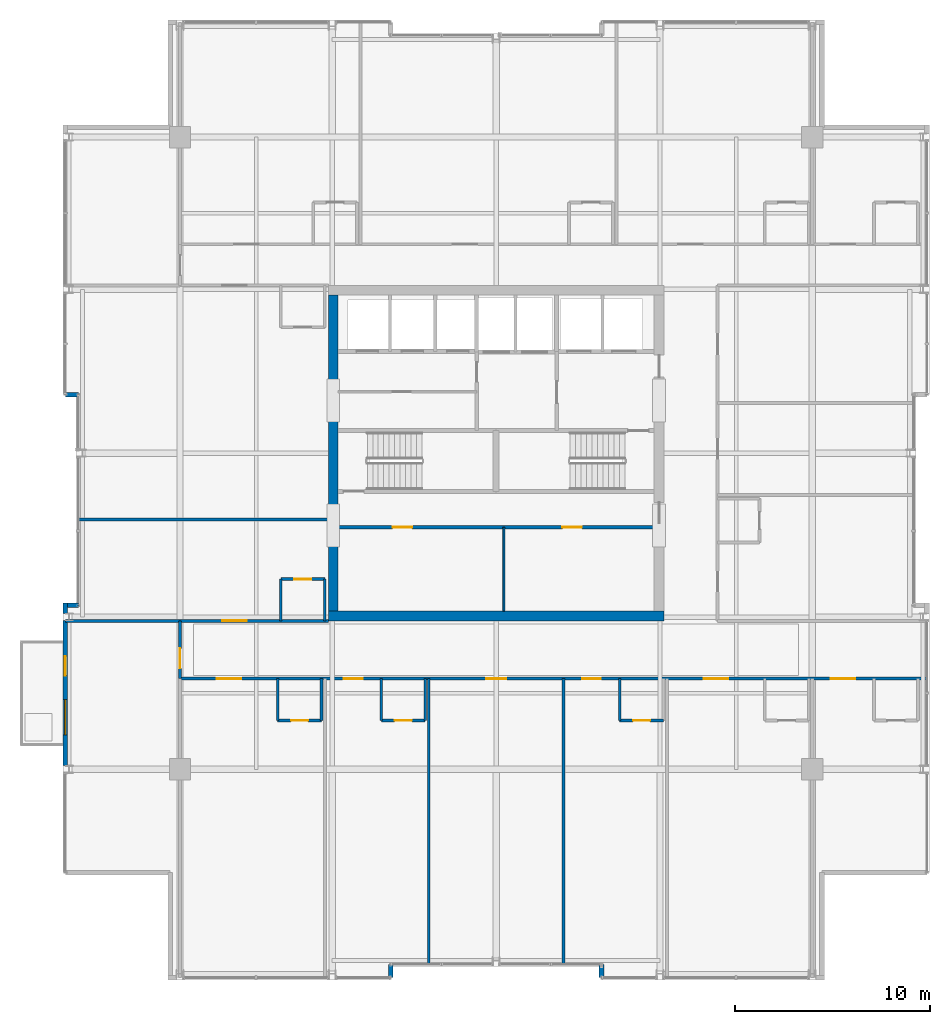
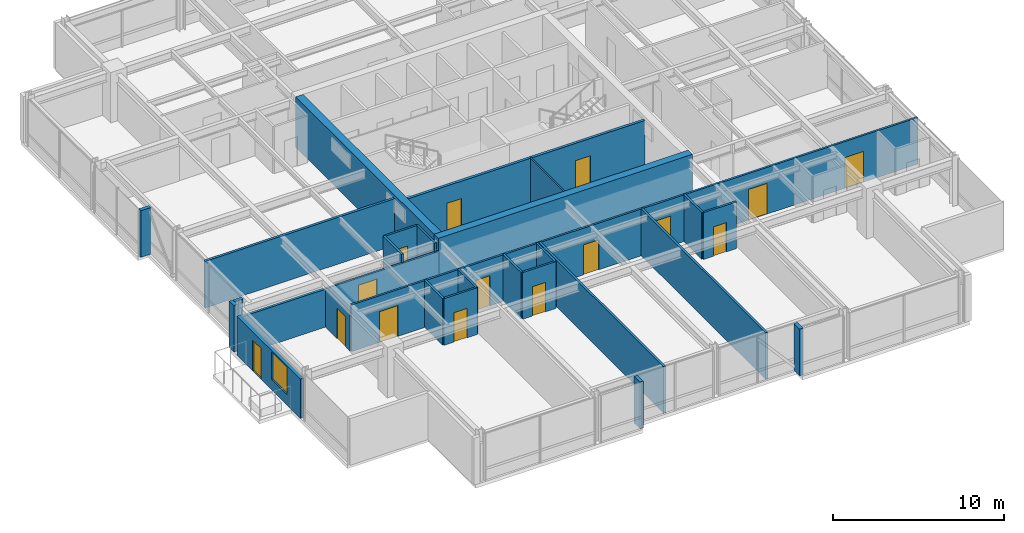
# One storey, part 26 of 32: 28 walls, 15 doors, 1 window, 16 openings.
"""IFC4 building model written with IfcOpenShell, lengths in metres."""

from ifc_helpers import new_model, si_unit, direction, frame, frame_2d, origin, place, context, subcontext, project, spatial, rectangle, extrude, material, layer, layer_set, type_object, element, fill, save


model = new_model("IFC4")

# Units and contexts
model_context = context("Model", 3, precision=1e-05, world=origin(), true_north=direction((0.0, 1.0)))
body_context = subcontext(model_context, "Body", "Model", "MODEL_VIEW")
ifc_project = project(units=[si_unit("LENGTHUNIT", "METRE"), si_unit("AREAUNIT", "SQUARE_METRE"), si_unit("VOLUMEUNIT", "CUBIC_METRE"), si_unit("PLANEANGLEUNIT", "RADIAN"), si_unit("MASSUNIT", "GRAM", prefix="KILO")], contexts=[model_context])

# Site, building, storey
site_placement = place(None, origin())
site = spatial("IfcSite", under=ifc_project, at=site_placement, CompositionType="ELEMENT")
building_placement = place(site_placement, origin())
building = spatial("IfcBuilding", under=site, at=building_placement, Name="Drelvath Grand Hotel", CompositionType="ELEMENT")
storey_placement = place(building_placement, frame((0.0, 0.0, 233.89990234375)))
storey = spatial("IfcBuildingStorey", under=building, at=storey_placement, Name="L61", CompositionType="ELEMENT", Elevation=233.89990234375)

# Wall
ifc_material_1 = material(Name="Gypsum Partition Board")
ifc_layer_1 = layer(ifc_material_1, 0.10009765625)
ifc_layer_set_1 = layer_set([ifc_layer_1], Name="Gypsum Partition Board")
wall_type_1 = type_object("IfcWallType", Name="Core Closet Partition 100", PredefinedType="PARTITIONING", material=ifc_layer_set_1)
wall_1_placement = place(storey_placement, frame((0.39990234375, 18.89990234375, 0.0), z_axis=(0.0, 0.0, 1.0), x_axis=(0.0, 1.0, 0.0)))
element("IfcWall", 1, at=wall_1_placement, inside=storey, type_object=wall_type_1, Name="L61 Upper Core Split 0", PredefinedType="PARTITIONING", context=body_context, shape_type="SweptSolid", body=[
    extrude(rectangle(XDim=4.300048828125, YDim=0.10009765625, at=frame_2d((2.14990234375, 0.0))), origin(), (0.0, 0.0, 1.0), 3.340087890625),
])

# Wall, openings, doors
ifc_material_2 = material(Name="Gypsum Fireboard Partition")
ifc_layer_2 = layer(ifc_material_2, 0.135009765625)
ifc_layer_set_2 = layer_set([ifc_layer_2], Name="Gypsum Fireboard Partition")
wall_type_2 = type_object("IfcWallType", Name="Corridor Fire Barrier Wall 135", PredefinedType="PARTITIONING", material=ifc_layer_set_2)
wall_2_placement = place(storey_placement, frame((-16.199951171875, 15.449951171875, 0.0), z_axis=(0.0, 0.0, 1.0), x_axis=(1.0, 0.0, 0.0)))
wall_2 = element("IfcWall", 2, at=wall_2_placement, inside=storey, type_object=wall_type_2, Name="L61 South Cross-Gallery Wall", PredefinedType="PARTITIONING", context=body_context, shape_type="SweptSolid", body=[
    extrude(rectangle(XDim=38.280029296875, YDim=0.135009765625, at=frame_2d((19.14013671875, 0.0))), origin(), (0.0, 0.0, 1.0), 3.340087890625),
])
opening_1_placement = place(wall_2_placement, frame((33.35498046875, 0.0, 0.0)))
opening_1 = element("IfcOpeningElement", 3, at=opening_1_placement, cuts=wall_2, Name="Opening D-T4G3-020", PredefinedType="OPENING", context=body_context, shape_type="SweptSolid", body=[
    extrude(rectangle(XDim=1.260009765625, YDim=2.199951171875, at=frame_2d((0.6298828125, 1.10009765625))), frame((0.0, 0.077392578125, 0.0), z_axis=(0.0, -1.0, 0.0), x_axis=(1.0, 0.0, 0.0)), (0.0, 0.0, 1.0), 0.155029296875),
])
opening_2_placement = place(wall_2_placement, frame((1.873046875, 0.0, 0.0)))
opening_2 = element("IfcOpeningElement", 4, at=opening_2_placement, cuts=wall_2, Name="Opening D-T4G3-024", PredefinedType="OPENING", context=body_context, shape_type="SweptSolid", body=[
    extrude(rectangle(XDim=1.260009765625, YDim=2.199951171875, at=frame_2d((0.6298828125, 1.10009765625))), frame((0.0, 0.077392578125, 0.0), z_axis=(0.0, -1.0, 0.0), x_axis=(1.0, 0.0, 0.0)), (0.0, 0.0, 1.0), 0.155029296875),
])
opening_3_placement = place(wall_2_placement, frame((8.396728515625, 0.0, 0.0)))
opening_3 = element("IfcOpeningElement", 5, at=opening_3_placement, cuts=wall_2, Name="Opening D-T4G3-026", PredefinedType="OPENING", context=body_context, shape_type="SweptSolid", body=[
    extrude(rectangle(XDim=0.9599609375, YDim=2.14990234375, at=frame_2d((0.47998046875, 1.074951171875))), frame((0.0, 0.077392578125, 0.0), z_axis=(0.0, -1.0, 0.0), x_axis=(1.0, 0.0, 0.0)), (0.0, 0.0, 1.0), 0.155029296875),
])
opening_4_placement = place(wall_2_placement, frame((15.68994140625, 0.0, 0.0)))
opening_4 = element("IfcOpeningElement", 6, at=opening_4_placement, cuts=wall_2, Name="Opening D-T4G3-027", PredefinedType="OPENING", context=body_context, shape_type="SweptSolid", body=[
    extrude(rectangle(XDim=1.02001953125, YDim=2.14990234375, at=frame_2d((0.510009765625, 1.074951171875))), frame((0.0, 0.077392578125, 0.0), z_axis=(0.0, -1.0, 0.0), x_axis=(1.0, 0.0, 0.0)), (0.0, 0.0, 1.0), 0.155029296875),
])
opening_5_placement = place(wall_2_placement, frame((20.61328125, 0.0, 0.0)))
opening_5 = element("IfcOpeningElement", 7, at=opening_5_placement, cuts=wall_2, Name="Opening D-T4G3-029", PredefinedType="OPENING", context=body_context, shape_type="SweptSolid", body=[
    extrude(rectangle(XDim=0.9599609375, YDim=2.14990234375, at=frame_2d((0.47998046875, 1.074951171875))), frame((0.0, 0.077392578125, 0.0), z_axis=(0.0, -1.0, 0.0), x_axis=(1.0, 0.0, 0.0)), (0.0, 0.0, 1.0), 0.155029296875),
])
opening_6_placement = place(wall_2_placement, frame((26.8369140625, 0.0, 0.0)))
opening_6 = element("IfcOpeningElement", 8, at=opening_6_placement, cuts=wall_2, Name="Opening D-T4G3-031", PredefinedType="OPENING", context=body_context, shape_type="SweptSolid", body=[
    extrude(rectangle(XDim=1.260009765625, YDim=2.199951171875, at=frame_2d((0.6298828125, 1.10009765625))), frame((0.0, 0.077392578125, 0.0), z_axis=(0.0, -1.0, 0.0), x_axis=(1.0, 0.0, 0.0)), (0.0, 0.0, 1.0), 0.155029296875),
])
ifc_material_3 = material(Name="Hardwood Walnut Timber", Category="wood")
door_type_1 = type_object("IfcDoorType", Name="Amenity Meeting Fire Door 1020x2150", OperationType="NOTDEFINED", PredefinedType="DOOR", material=ifc_material_3)
door_1_placement = place(opening_4_placement, origin())
door_1 = element("IfcDoor", 9, at=door_1_placement, inside=storey, type_object=door_type_1, Name="L61 Diplomatic Dining Salon Entry Door", OperationType="SINGLE_SWING_RIGHT", OverallHeight=2.14990234375, OverallWidth=1.02001953125, PredefinedType="DOOR", context=body_context, shape_type="SweptSolid", body=[
    extrude(rectangle(XDim=1.02001953125, YDim=2.14990234375, at=frame_2d((0.510009765625, 1.074951171875))), frame((0.0, 0.02490234375, 0.0), z_axis=(0.0, -1.0, 0.0), x_axis=(1.0, 0.0, 0.0)), (0.0, 0.0, 1.0), 0.050048828125),
])
fill(opening_4, door_1)
door_type_2 = type_object("IfcDoorType", Name="Guestroom Entrance Fire Door 960x2150", OperationType="NOTDEFINED", PredefinedType="DOOR", material=ifc_material_3)
door_2_placement = place(opening_3_placement, origin())
door_2 = element("IfcDoor", 10, at=door_2_placement, inside=storey, type_object=door_type_2, Name="L61 Deluxe Guest Room Entry Door", OperationType="SINGLE_SWING_LEFT", OverallHeight=2.14990234375, OverallWidth=0.9599609375, PredefinedType="DOOR", context=body_context, shape_type="SweptSolid", body=[
    extrude(rectangle(XDim=0.9599609375, YDim=2.14990234375, at=frame_2d((0.47998046875, 1.074951171875))), frame((0.0, 0.02490234375, 0.0), z_axis=(0.0, -1.0, 0.0), x_axis=(1.0, 0.0, 0.0)), (0.0, 0.0, 1.0), 0.050048828125),
])
fill(opening_3, door_2)
door_3_placement = place(opening_5_placement, origin())
door_3 = element("IfcDoor", 11, at=door_3_placement, inside=storey, type_object=door_type_2, Name="L61 Deluxe Guest Room Entry Door", OperationType="SINGLE_SWING_RIGHT", OverallHeight=2.14990234375, OverallWidth=0.9599609375, PredefinedType="DOOR", context=body_context, shape_type="SweptSolid", body=[
    extrude(rectangle(XDim=0.9599609375, YDim=2.14990234375, at=frame_2d((0.47998046875, 1.074951171875))), frame((0.0, 0.02490234375, 0.0), z_axis=(0.0, -1.0, 0.0), x_axis=(1.0, 0.0, 0.0)), (0.0, 0.0, 1.0), 0.050048828125),
])
fill(opening_5, door_3)
door_type_3 = type_object("IfcDoorType", Name="Suite Entrance Fire Door 1260x2200", OperationType="NOTDEFINED", PredefinedType="DOOR", material=ifc_material_3)
door_4_placement = place(opening_1_placement, origin())
door_4 = element("IfcDoor", 12, at=door_4_placement, inside=storey, type_object=door_type_3, Name="L61 Diplomatic Suite Entry Door", OperationType="SINGLE_SWING_LEFT", OverallHeight=2.199951171875, OverallWidth=1.260009765625, PredefinedType="DOOR", context=body_context, shape_type="SweptSolid", body=[
    extrude(rectangle(XDim=1.260009765625, YDim=2.199951171875, at=frame_2d((0.6298828125, 1.10009765625))), frame((0.0, 0.02490234375, 0.0), z_axis=(0.0, -1.0, 0.0), x_axis=(1.0, 0.0, 0.0)), (0.0, 0.0, 1.0), 0.050048828125),
])
fill(opening_1, door_4)
door_5_placement = place(opening_2_placement, origin())
door_5 = element("IfcDoor", 13, at=door_5_placement, inside=storey, type_object=door_type_3, Name="L61 Diplomatic Suite Entry Door", OperationType="SINGLE_SWING_LEFT", OverallHeight=2.199951171875, OverallWidth=1.260009765625, PredefinedType="DOOR", context=body_context, shape_type="SweptSolid", body=[
    extrude(rectangle(XDim=1.260009765625, YDim=2.199951171875, at=frame_2d((0.6298828125, 1.10009765625))), frame((0.0, 0.02490234375, 0.0), z_axis=(0.0, -1.0, 0.0), x_axis=(1.0, 0.0, 0.0)), (0.0, 0.0, 1.0), 0.050048828125),
])
fill(opening_2, door_5)
door_6_placement = place(opening_6_placement, origin())
door_6 = element("IfcDoor", 14, at=door_6_placement, inside=storey, type_object=door_type_3, Name="L61 Diplomatic Suite Entry Door", OperationType="SINGLE_SWING_RIGHT", OverallHeight=2.199951171875, OverallWidth=1.260009765625, PredefinedType="DOOR", context=body_context, shape_type="SweptSolid", body=[
    extrude(rectangle(XDim=1.260009765625, YDim=2.199951171875, at=frame_2d((0.6298828125, 1.10009765625))), frame((0.0, 0.02490234375, 0.0), z_axis=(0.0, -1.0, 0.0), x_axis=(1.0, 0.0, 0.0)), (0.0, 0.0, 1.0), 0.050048828125),
])
fill(opening_6, door_6)

# Wall, opening, door
wall_3_placement = place(storey_placement, frame((-16.199951171875, 18.39990234375, 0.0), z_axis=(0.0, 0.0, 1.0), x_axis=(1.0, 0.0, 0.0)))
wall_3 = element("IfcWall", 15, at=wall_3_placement, inside=storey, type_object=wall_type_2, Name="L61 South Gallery Inner West Wall", PredefinedType="PARTITIONING", context=body_context, shape_type="SweptSolid", body=[
    extrude(rectangle(XDim=7.599853515625, YDim=0.135009765625, at=frame_2d((3.7998046875, 0.0))), origin(), (0.0, 0.0, 1.0), 2.717529296875),
])
opening_7_placement = place(wall_3_placement, frame((2.155029296875, 0.0, 0.0)))
opening_7 = element("IfcOpeningElement", 16, at=opening_7_placement, cuts=wall_3, Name="Opening D-T4G3-043", PredefinedType="OPENING", context=body_context, shape_type="SweptSolid", body=[
    extrude(rectangle(XDim=1.260009765625, YDim=2.199951171875, at=frame_2d((0.6298828125, 1.10009765625))), frame((0.0, 0.077392578125, 0.0), z_axis=(0.0, -1.0, 0.0), x_axis=(1.0, 0.0, 0.0)), (0.0, 0.0, 1.0), 0.155029296875),
])
door_7_placement = place(opening_7_placement, origin())
door_7 = element("IfcDoor", 17, at=door_7_placement, inside=storey, type_object=door_type_3, Name="L61 Diplomatic Suite Entry Door", OperationType="SINGLE_SWING_RIGHT", OverallHeight=2.199951171875, OverallWidth=1.260009765625, PredefinedType="DOOR", context=body_context, shape_type="SweptSolid", body=[
    extrude(rectangle(XDim=1.260009765625, YDim=2.199951171875, at=frame_2d((0.6298828125, 1.10009765625))), frame((0.0, 0.02490234375, 0.0), z_axis=(0.0, -1.0, 0.0), x_axis=(1.0, 0.0, 0.0)), (0.0, 0.0, 1.0), 0.050048828125),
])
fill(opening_7, door_7)

wall_4_placement = place(storey_placement, frame((-16.199951171875, 15.449951171875, 0.0), z_axis=(0.0, 0.0, 1.0), x_axis=(0.0, 1.0, 0.0)))
wall_4 = element("IfcWall", 18, at=wall_4_placement, inside=storey, type_object=wall_type_2, Name="L61 South Gallery West End", PredefinedType="PARTITIONING", context=body_context, shape_type="SweptSolid", body=[
    extrude(rectangle(XDim=2.949951171875, YDim=0.135009765625, at=frame_2d((1.47509765625, 0.0))), origin(), (0.0, 0.0, 1.0), 2.7138671875),
])
opening_8_placement = place(wall_4_placement, frame((0.52001953125, 0.0, 0.0)))
opening_8 = element("IfcOpeningElement", 19, at=opening_8_placement, cuts=wall_4, Name="Opening D-T4G3-017", PredefinedType="OPENING", context=body_context, shape_type="SweptSolid", body=[
    extrude(rectangle(XDim=1.02001953125, YDim=2.14990234375, at=frame_2d((0.510009765625, 1.074951171875))), frame((0.0, 0.077392578125, 0.0), z_axis=(0.0, -1.0, 0.0), x_axis=(1.0, 0.0, 0.0)), (0.0, 0.0, 1.0), 0.155029296875),
])
door_8_placement = place(opening_8_placement, origin())
door_8 = element("IfcDoor", 20, at=door_8_placement, inside=storey, type_object=door_type_1, Name="L61 Corner Panorama Lounge Door", OperationType="SINGLE_SWING_RIGHT", OverallHeight=2.14990234375, OverallWidth=1.02001953125, PredefinedType="DOOR", context=body_context, shape_type="SweptSolid", body=[
    extrude(rectangle(XDim=1.02001953125, YDim=2.14990234375, at=frame_2d((0.510009765625, 1.074951171875))), frame((0.0, 0.02490234375, 0.0), z_axis=(0.0, -1.0, 0.0), x_axis=(1.0, 0.0, 0.0)), (0.0, 0.0, 1.0), 0.050048828125),
])
fill(opening_8, door_8)

# Walls
ifc_material_4 = material(Name="Moisture-Resistant Gypsum Board")
ifc_layer_3 = layer(ifc_material_4, 0.139892578125)
ifc_layer_set_3 = layer_set([ifc_layer_3], Name="Moisture-Resistant Gypsum Board")
wall_type_3 = type_object("IfcWallType", Name="En-Suite Plumbing Wall 140", PredefinedType="PLUMBINGWALL", material=ifc_layer_set_3)
for number, where, z_axis, x_axis, name in (
    (21, (-11.19384765625, 15.449951171875, 0.0), (0.0, 0.0, 1.0), (0.0, -1.0, 0.0), "L61 En-Suite Left Wall"),
    (22, (-8.94384765625, 15.449951171875, 0.0), (0.0, 0.0, 1.0), (0.0, -1.0, 0.0), "L61 En-Suite Right Wall"),
):
    element("IfcWall", number, at=place(storey_placement, frame(where, z_axis=z_axis, x_axis=x_axis)), inside=storey, type_object=wall_type_3, Name=name, PredefinedType="PLUMBINGWALL", context=body_context, shape_type="SweptSolid", body=[
        extrude(rectangle(XDim=2.14990234375, YDim=0.139892578125, at=frame_2d((1.074951171875, 0.0))), origin(), (0.0, 0.0, 1.0), 3.340087890625),
    ])

# Wall, opening, door
wall_5_placement = place(storey_placement, frame((-11.19384765625, 13.300048828125, 0.0), z_axis=(0.0, 0.0, 1.0), x_axis=(1.0, 0.0, 0.0)))
wall_5 = element("IfcWall", 23, at=wall_5_placement, inside=storey, type_object=wall_type_3, Name="L61 En-Suite Front Wall", PredefinedType="PLUMBINGWALL", context=body_context, shape_type="SweptSolid", body=[
    extrude(rectangle(XDim=2.25, YDim=0.139892578125, at=frame_2d((1.125, 0.0))), origin(), (0.0, 0.0, 1.0), 3.340087890625),
])
opening_9_placement = place(wall_5_placement, frame((0.68505859375, 0.0, 0.0)))
opening_9 = element("IfcOpeningElement", 24, at=opening_9_placement, cuts=wall_5, Name="Opening D-T4G3-023", PredefinedType="OPENING", context=body_context, shape_type="SweptSolid", body=[
    extrude(rectangle(XDim=0.8798828125, YDim=2.10009765625, at=frame_2d((0.43994140625, 1.050048828125))), frame((0.0, 0.079833984375, 0.0), z_axis=(0.0, -1.0, 0.0), x_axis=(1.0, 0.0, 0.0)), (0.0, 0.0, 1.0), 0.159912109375),
])
door_type_4 = type_object("IfcDoorType", Name="En-Suite Bathroom Door 880x2100", OperationType="NOTDEFINED", PredefinedType="DOOR", material=ifc_material_3)
door_9_placement = place(opening_9_placement, origin())
door_9 = element("IfcDoor", 25, at=door_9_placement, inside=storey, type_object=door_type_4, Name="L61 En-Suite Bathroom Door", OperationType="SINGLE_SWING_RIGHT", OverallHeight=2.10009765625, OverallWidth=0.8798828125, PredefinedType="DOOR", context=body_context, shape_type="SweptSolid", body=[
    extrude(rectangle(XDim=0.8798828125, YDim=2.10009765625, at=frame_2d((0.43994140625, 1.050048828125))), frame((0.0, 0.02490234375, 0.0), z_axis=(0.0, -1.0, 0.0), x_axis=(1.0, 0.0, 0.0)), (0.0, 0.0, 1.0), 0.050048828125),
])
fill(opening_9, door_9)

# Walls
for number, where, z_axis, x_axis, name in (
    (26, (-5.882568359375, 15.449951171875, 0.0), (0.0, 0.0, 1.0), (0.0, -1.0, 0.0), "L61 En-Suite Left Wall"),
    (27, (-3.632568359375, 15.449951171875, 0.0), (0.0, 0.0, 1.0), (0.0, -1.0, 0.0), "L61 En-Suite Right Wall"),
):
    element("IfcWall", number, at=place(storey_placement, frame(where, z_axis=z_axis, x_axis=x_axis)), inside=storey, type_object=wall_type_3, Name=name, PredefinedType="PLUMBINGWALL", context=body_context, shape_type="SweptSolid", body=[
        extrude(rectangle(XDim=2.14990234375, YDim=0.139892578125, at=frame_2d((1.074951171875, 0.0))), origin(), (0.0, 0.0, 1.0), 3.340087890625),
    ])

# Wall, opening, door
wall_6_placement = place(storey_placement, frame((-5.882568359375, 13.300048828125, 0.0), z_axis=(0.0, 0.0, 1.0), x_axis=(1.0, 0.0, 0.0)))
wall_6 = element("IfcWall", 28, at=wall_6_placement, inside=storey, type_object=wall_type_3, Name="L61 En-Suite Front Wall", PredefinedType="PLUMBINGWALL", context=body_context, shape_type="SweptSolid", body=[
    extrude(rectangle(XDim=2.25, YDim=0.139892578125, at=frame_2d((1.125, 0.0))), origin(), (0.0, 0.0, 1.0), 3.340087890625),
])
opening_10_placement = place(wall_6_placement, frame((0.68505859375, 0.0, 0.0)))
opening_10 = element("IfcOpeningElement", 29, at=opening_10_placement, cuts=wall_6, Name="Opening D-T4G3-025", PredefinedType="OPENING", context=body_context, shape_type="SweptSolid", body=[
    extrude(rectangle(XDim=0.8798828125, YDim=2.10009765625, at=frame_2d((0.43994140625, 1.050048828125))), frame((0.0, 0.079833984375, 0.0), z_axis=(0.0, -1.0, 0.0), x_axis=(1.0, 0.0, 0.0)), (0.0, 0.0, 1.0), 0.159912109375),
])
door_10_placement = place(opening_10_placement, origin())
door_10 = element("IfcDoor", 30, at=door_10_placement, inside=storey, type_object=door_type_4, Name="L61 En-Suite Bathroom Door", OperationType="SINGLE_SWING_RIGHT", OverallHeight=2.10009765625, OverallWidth=0.8798828125, PredefinedType="DOOR", context=body_context, shape_type="SweptSolid", body=[
    extrude(rectangle(XDim=0.8798828125, YDim=2.10009765625, at=frame_2d((0.43994140625, 1.050048828125))), frame((0.0, 0.02490234375, 0.0), z_axis=(0.0, -1.0, 0.0), x_axis=(1.0, 0.0, 0.0)), (0.0, 0.0, 1.0), 0.050048828125),
])
fill(opening_10, door_10)

# Wall
wall_7_placement = place(storey_placement, frame((6.333984375, 15.449951171875, 0.0), z_axis=(0.0, 0.0, 1.0), x_axis=(0.0, -1.0, 0.0)))
element("IfcWall", 31, at=wall_7_placement, inside=storey, type_object=wall_type_3, Name="L61 En-Suite Left Wall", PredefinedType="PLUMBINGWALL", context=body_context, shape_type="SweptSolid", body=[
    extrude(rectangle(XDim=2.14990234375, YDim=0.139892578125, at=frame_2d((1.074951171875, 0.0))), origin(), (0.0, 0.0, 1.0), 3.340087890625),
])

# Wall, opening, door
wall_8_placement = place(storey_placement, frame((6.333984375, 13.300048828125, 0.0), z_axis=(0.0, 0.0, 1.0), x_axis=(1.0, 0.0, 0.0)))
wall_8 = element("IfcWall", 32, at=wall_8_placement, inside=storey, type_object=wall_type_3, Name="L61 En-Suite Front Wall", PredefinedType="PLUMBINGWALL", context=body_context, shape_type="SweptSolid", body=[
    extrude(rectangle(XDim=2.25, YDim=0.139892578125, at=frame_2d((1.125, 0.0))), origin(), (0.0, 0.0, 1.0), 3.340087890625),
])
opening_11_placement = place(wall_8_placement, frame((0.68505859375, 0.0, 0.0)))
opening_11 = element("IfcOpeningElement", 33, at=opening_11_placement, cuts=wall_8, Name="Opening D-T4G3-028", PredefinedType="OPENING", context=body_context, shape_type="SweptSolid", body=[
    extrude(rectangle(XDim=0.8798828125, YDim=2.10009765625, at=frame_2d((0.43994140625, 1.050048828125))), frame((0.0, 0.079833984375, 0.0), z_axis=(0.0, -1.0, 0.0), x_axis=(1.0, 0.0, 0.0)), (0.0, 0.0, 1.0), 0.159912109375),
])
door_11_placement = place(opening_11_placement, origin())
door_11 = element("IfcDoor", 34, at=door_11_placement, inside=storey, type_object=door_type_4, Name="L61 En-Suite Bathroom Door", OperationType="SINGLE_SWING_LEFT", OverallHeight=2.10009765625, OverallWidth=0.8798828125, PredefinedType="DOOR", context=body_context, shape_type="SweptSolid", body=[
    extrude(rectangle(XDim=0.8798828125, YDim=2.10009765625, at=frame_2d((0.43994140625, 1.050048828125))), frame((0.0, 0.02490234375, 0.0), z_axis=(0.0, -1.0, 0.0), x_axis=(1.0, 0.0, 0.0)), (0.0, 0.0, 1.0), 0.050048828125),
])
fill(opening_11, door_11)

# Walls
for number, where, z_axis, x_axis, name in (
    (35, (-11.030029296875, 18.39990234375, 0.0), (0.0, 0.0, 1.0), (0.0, 1.0, 0.0), "L61 En-Suite Left Wall"),
    (36, (-8.780029296875, 18.39990234375, 0.0), (0.0, 0.0, 1.0), (0.0, 1.0, 0.0), "L61 En-Suite Right Wall"),
):
    element("IfcWall", number, at=place(storey_placement, frame(where, z_axis=z_axis, x_axis=x_axis)), inside=storey, type_object=wall_type_3, Name=name, PredefinedType="PLUMBINGWALL", context=body_context, shape_type="SweptSolid", body=[
        extrude(rectangle(XDim=2.150146484375, YDim=0.139892578125, at=frame_2d((1.0751953125, 0.0))), origin(), (0.0, 0.0, 1.0), 3.340087890625),
    ])

# Wall, opening, door
wall_9_placement = place(storey_placement, frame((-11.030029296875, 20.550048828125, 0.0), z_axis=(0.0, 0.0, 1.0), x_axis=(1.0, 0.0, 0.0)))
wall_9 = element("IfcWall", 37, at=wall_9_placement, inside=storey, type_object=wall_type_3, Name="L61 En-Suite Front Wall", PredefinedType="PLUMBINGWALL", context=body_context, shape_type="SweptSolid", body=[
    extrude(rectangle(XDim=2.25, YDim=0.139892578125, at=frame_2d((1.125, 0.0))), origin(), (0.0, 0.0, 1.0), 3.340087890625),
])
opening_12_placement = place(wall_9_placement, frame((0.68505859375, 0.0, 0.0)))
opening_12 = element("IfcOpeningElement", 38, at=opening_12_placement, cuts=wall_9, Name="Opening D-T4G3-042", PredefinedType="OPENING", context=body_context, shape_type="SweptSolid", body=[
    extrude(rectangle(XDim=0.8798828125, YDim=2.10009765625, at=frame_2d((0.43994140625, 1.050048828125))), frame((0.0, 0.079833984375, 0.0), z_axis=(0.0, -1.0, 0.0), x_axis=(1.0, 0.0, 0.0)), (0.0, 0.0, 1.0), 0.159912109375),
])
door_12_placement = place(opening_12_placement, origin())
door_12 = element("IfcDoor", 39, at=door_12_placement, inside=storey, type_object=door_type_4, Name="L61 En-Suite Bathroom Door", OperationType="SINGLE_SWING_LEFT", OverallHeight=2.10009765625, OverallWidth=0.8798828125, PredefinedType="DOOR", context=body_context, shape_type="SweptSolid", body=[
    extrude(rectangle(XDim=0.8798828125, YDim=2.10009765625, at=frame_2d((0.43994140625, 1.050048828125))), frame((0.0, 0.02490234375, 0.0), z_axis=(0.0, -1.0, 0.0), x_axis=(1.0, 0.0, 0.0)), (0.0, 0.0, 1.0), 0.050048828125),
])
fill(opening_12, door_12)

# Wall, openings, doors
ifc_layer_4 = layer(ifc_material_2, 0.179931640625)
ifc_layer_set_4 = layer_set([ifc_layer_4], Name="Gypsum Fireboard Partition")
wall_type_4 = type_object("IfcWallType", Name="FSAE Smoke Lobby Fire Wall 180", PredefinedType="SOLIDWALL", material=ifc_layer_set_4)
wall_10_placement = place(storey_placement, frame((-8.10009765625, 23.199951171875, 0.0), z_axis=(0.0, 0.0, 1.0), x_axis=(1.0, 0.0, 0.0)))
wall_10 = element("IfcWall", 40, at=wall_10_placement, inside=storey, type_object=wall_type_4, Name="L61 Upper Reclaimed Core Wall", PredefinedType="SOLIDWALL", context=body_context, shape_type="SweptSolid", body=[
    extrude(rectangle(XDim=16.2001953125, YDim=0.179931640625, at=frame_2d((8.10009765625, 0.0))), origin(), (0.0, 0.0, 1.0), 3.340087890625),
])
opening_13_placement = place(wall_10_placement, frame((2.800048828125, 0.0, 0.0)))
opening_13 = element("IfcOpeningElement", 41, at=opening_13_placement, cuts=wall_10, Name="Opening D-T4G3-015", PredefinedType="OPENING", context=body_context, shape_type="SweptSolid", body=[
    extrude(rectangle(XDim=1.0, YDim=2.10009765625, at=frame_2d((0.5, 1.050048828125))), frame((0.0, 0.099853515625, 0.0), z_axis=(0.0, -1.0, 0.0), x_axis=(1.0, 0.0, 0.0)), (0.0, 0.0, 1.0), 0.199951171875),
])
opening_14_placement = place(wall_10_placement, frame((11.5, 0.0, 0.0)))
opening_14 = element("IfcOpeningElement", 42, at=opening_14_placement, cuts=wall_10, Name="Opening D-T4G3-016", PredefinedType="OPENING", context=body_context, shape_type="SweptSolid", body=[
    extrude(rectangle(XDim=1.0, YDim=2.10009765625, at=frame_2d((0.5, 1.050048828125))), frame((0.0, 0.099853515625, 0.0), z_axis=(0.0, -1.0, 0.0), x_axis=(1.0, 0.0, 0.0)), (0.0, 0.0, 1.0), 0.199951171875),
])
ifc_material_5 = material(Name="Painted Steel S275", Category="steel")
door_type_5 = type_object("IfcDoorType", Name="Core Service Fire Door 1000x2100", OperationType="NOTDEFINED", PredefinedType="DOOR", material=ifc_material_5)
door_13_placement = place(opening_13_placement, origin())
door_13 = element("IfcDoor", 43, at=door_13_placement, inside=storey, type_object=door_type_5, Name="L61 Housekeeping Door", OperationType="SINGLE_SWING_RIGHT", OverallHeight=2.10009765625, OverallWidth=1.0, PredefinedType="DOOR", context=body_context, shape_type="SweptSolid", body=[
    extrude(rectangle(XDim=1.0, YDim=2.10009765625, at=frame_2d((0.5, 1.050048828125))), frame((0.0, 0.02490234375, 0.0), z_axis=(0.0, -1.0, 0.0), x_axis=(1.0, 0.0, 0.0)), (0.0, 0.0, 1.0), 0.050048828125),
])
fill(opening_13, door_13)
door_14_placement = place(opening_14_placement, origin())
door_14 = element("IfcDoor", 44, at=door_14_placement, inside=storey, type_object=door_type_5, Name="L61 Butler Pantry Door", OperationType="SINGLE_SWING_LEFT", OverallHeight=2.10009765625, OverallWidth=1.0, PredefinedType="DOOR", context=body_context, shape_type="SweptSolid", body=[
    extrude(rectangle(XDim=1.0, YDim=2.10009765625, at=frame_2d((0.5, 1.050048828125))), frame((0.0, 0.02490234375, 0.0), z_axis=(0.0, -1.0, 0.0), x_axis=(1.0, 0.0, 0.0)), (0.0, 0.0, 1.0), 0.050048828125),
])
fill(opening_14, door_14)

# Walls
ifc_material_6 = material(Name="Gypsum Acoustic Partition")
ifc_layer_5 = layer(ifc_material_6, 0.14990234375)
ifc_layer_set_5 = layer_set([ifc_layer_5], Name="Gypsum Acoustic Partition")
wall_type_5 = type_object("IfcWallType", Name="Guestroom Demising Wall 150", PredefinedType="PARTITIONING", material=ifc_layer_set_5)
for number, where, z_axis, x_axis, name in (
    (45, (-3.452392578125, 0.800048828125, 0.0), (0.0, 0.0, 1.0), (0.0, 1.0, 0.0), "L61 South Demising 2"),
    (46, (3.452392578125, 0.800048828125, 0.0), (0.0, 0.0, 1.0), (0.0, 1.0, 0.0), "L61 South Demising 3"),
):
    element("IfcWall", number, at=place(storey_placement, frame(where, z_axis=z_axis, x_axis=x_axis)), inside=storey, type_object=wall_type_5, Name=name, PredefinedType="PARTITIONING", context=body_context, shape_type="SweptSolid", body=[
        extrude(rectangle(XDim=14.64990234375, YDim=0.14990234375, at=frame_2d((7.324951171875, 0.0))), origin(), (0.0, 0.0, 1.0), 3.340087890625),
    ])
ifc_layer_6 = layer(ifc_material_6, 0.1650390625)
ifc_layer_set_6 = layer_set([ifc_layer_6], Name="Gypsum Acoustic Partition")
wall_type_6 = type_object("IfcWallType", Name="Suite Demising Wall 165", PredefinedType="PARTITIONING", material=ifc_layer_set_6)
wall_11_placement = place(storey_placement, frame((-22.080078125, 18.39990234375, 0.0), z_axis=(0.0, 0.0, 1.0), x_axis=(1.0, 0.0, 0.0)))
element("IfcWall", 47, at=wall_11_placement, inside=storey, type_object=wall_type_6, Name="L61 SW Corner North Wall", PredefinedType="PARTITIONING", context=body_context, shape_type="SweptSolid", body=[
    extrude(rectangle(XDim=5.880126953125, YDim=0.1650390625, at=frame_2d((2.93994140625, 0.0))), origin(), (0.0, 0.0, 1.0), 2.7138671875),
])
wall_12_placement = place(storey_placement, frame((-21.39990234375, 23.60009765625, 0.0), z_axis=(0.0, 0.0, 1.0), x_axis=(1.0, 0.0, 0.0)))
element("IfcWall", 48, at=wall_12_placement, inside=storey, type_object=wall_type_6, Name="L61 West Grand Suite Split Wall", PredefinedType="PARTITIONING", context=body_context, shape_type="SweptSolid", body=[
    extrude(rectangle(XDim=12.7998046875, YDim=0.1650390625, at=frame_2d((6.39990234375, 0.0))), origin(), (0.0, 0.0, 1.0), 3.340087890625),
])

# Wall, openings, window, door
ifc_material_7 = material(Name="Pale-Metal Insulated Aluminium Spandrel Assembly", Category="aluminium")
ifc_layer_7 = layer(ifc_material_7, 0.239990234375)
ifc_layer_set_7 = layer_set([ifc_layer_7], Name="Pale-Metal Insulated Aluminium Spandrel Assembly")
wall_type_7 = type_object("IfcWallType", Name="Tower Insulated Metal Spandrel Closure Wall 240", PredefinedType="STANDARD", material=ifc_layer_set_7)
wall_13_placement = place(storey_placement, frame((-22.080078125, 10.9853515625, 0.0), z_axis=(0.0, 0.0, 1.0), x_axis=(0.0, 1.0, 0.0)))
wall_13 = element("IfcWall", 49, at=wall_13_placement, inside=storey, type_object=wall_type_7, Name="L61 Exterior Terrace Door Bay Wall WS2", PredefinedType="STANDARD", context=body_context, shape_type="SweptSolid", body=[
    extrude(rectangle(XDim=7.429443359375, YDim=0.239990234375, at=frame_2d((3.71484375, 0.0))), origin(), (0.0, 0.0, 1.0), 2.803466796875),
])
opening_15_placement = place(wall_13_placement, frame((4.61474609375, 0.0, 0.0)))
opening_15 = element("IfcOpeningElement", 50, at=opening_15_placement, cuts=wall_13, Name="Opening TD-1000", PredefinedType="OPENING", context=body_context, shape_type="SweptSolid", body=[
    extrude(rectangle(XDim=1.0, YDim=2.199951171875, at=frame_2d((0.5, 1.10009765625))), frame((0.0, 0.1298828125, 0.0), z_axis=(0.0, -1.0, 0.0), x_axis=(1.0, 0.0, 0.0)), (0.0, 0.0, 1.0), 0.260009765625),
])
opening_16_placement = place(wall_13_placement, frame((1.5830078125, 0.0, 0.75)))
opening_16 = element("IfcOpeningElement", 51, at=opening_16_placement, cuts=wall_13, Name="Opening W-02", PredefinedType="OPENING", context=body_context, shape_type="SweptSolid", body=[
    extrude(rectangle(XDim=1.800048828125, YDim=1.953369140625, at=frame_2d((0.89990234375, 0.9765625))), frame((0.0, 0.1298828125, 0.0), z_axis=(0.0, -1.0, 0.0), x_axis=(1.0, 0.0, 0.0)), (0.0, 0.0, 1.0), 0.260009765625),
])
ifc_material_8 = material(Name="Bronze Anodised Low-E Triple Glazing", Category="glass")
window_type = type_object("IfcWindowType", Name="Chicago Double-Pane Podium Window 1800x2400", PartitioningType="DOUBLE_PANEL_VERTICAL", PredefinedType="WINDOW", material=ifc_material_8)
window_placement = place(opening_16_placement, origin())
window = element("IfcWindow", 52, at=window_placement, inside=storey, type_object=window_type, Name="L61 Terrace Bay Companion Window WS2", OverallHeight=1.953369140625, OverallWidth=1.800048828125, PartitioningType="SINGLE_PANEL", PredefinedType="WINDOW", context=body_context, shape_type="SweptSolid", body=[
    extrude(rectangle(XDim=1.800048828125, YDim=1.953369140625, at=frame_2d((0.89990234375, 0.9765625))), frame((0.0, 0.030029296875, 0.0), z_axis=(0.0, -1.0, 0.0), x_axis=(1.0, 0.0, 0.0)), (0.0, 0.0, 1.0), 0.06005859375),
])
fill(opening_16, window)
ifc_material_9 = material(Name="Anodised Aluminium Thermally Broken Glazed Door", Category="aluminium")
door_type_6 = type_object("IfcDoorType", Name="Terrace and Tree Balcony Glazed Door 1000x2200", OperationType="NOTDEFINED", PredefinedType="DOOR", material=ifc_material_9)
door_15_placement = place(opening_15_placement, origin())
door_15 = element("IfcDoor", 53, at=door_15_placement, inside=storey, type_object=door_type_6, Name="L61 Tree Balcony Door DOOR-L61-TBAL-1", OperationType="SINGLE_SWING_RIGHT", OverallHeight=2.199951171875, OverallWidth=1.0, PredefinedType="DOOR", context=body_context, shape_type="SweptSolid", body=[
    extrude(rectangle(XDim=1.0, YDim=2.199951171875, at=frame_2d((0.5, 1.10009765625))), frame((0.0, 0.02490234375, 0.0), z_axis=(0.0, -1.0, 0.0), x_axis=(1.0, 0.0, 0.0)), (0.0, 0.0, 1.0), 0.050048828125),
])
fill(opening_15, door_15)

# Walls
wall_14_placement = place(storey_placement, frame((-22.080078125, 18.785400390625, 0.0), z_axis=(0.0, 0.0, 1.0), x_axis=(0.0, 1.0, 0.0)))
element("IfcWall", 54, at=wall_14_placement, inside=storey, type_object=wall_type_7, Name="L61 Corner Pier Spandrel Wall WS3", PredefinedType="STANDARD", context=body_context, shape_type="SweptSolid", body=[
    extrude(rectangle(XDim=0.53466796875, YDim=0.239990234375, at=frame_2d((0.267333984375, 0.0))), origin(), (0.0, 0.0, 1.0), 3.340087890625),
])
wall_15_placement = place(storey_placement, frame((-21.9599609375, 19.199951171875, 0.0), z_axis=(0.0, 0.0, 1.0), x_axis=(1.0, 0.0, 0.0)))
element("IfcWall", 55, at=wall_15_placement, inside=storey, type_object=wall_type_7, Name="L61 Notched Corner Return Spandrel Wall RW1", PredefinedType="STANDARD", context=body_context, shape_type="SweptSolid", body=[
    extrude(rectangle(XDim=0.56005859375, YDim=0.239990234375, at=frame_2d((0.280029296875, 0.0))), origin(), (0.0, 0.0, 1.0), 3.340087890625),
])
wall_16_placement = place(storey_placement, frame((-21.39990234375, 30.0, 0.0), z_axis=(0.0, 0.0, 1.0), x_axis=(-1.0, 0.0, 0.0)))
element("IfcWall", 56, at=wall_16_placement, inside=storey, type_object=wall_type_7, Name="L61 Notched Corner Return Spandrel Wall RW2", PredefinedType="STANDARD", context=body_context, shape_type="SweptSolid", body=[
    extrude(rectangle(XDim=0.68017578125, YDim=0.239990234375, at=frame_2d((0.340087890625, 0.0))), origin(), (0.0, 0.0, 1.0), 3.340087890625),
])
for number, where, z_axis, x_axis, name in (
    (57, (5.39990234375, 0.1201171875, 0.0), (0.0, 0.0, 1.0), (0.0, 1.0, 0.0), "L61 Notched Corner Return Spandrel Wall RS1"),
    (58, (-5.39990234375, 0.800048828125, 0.0), (0.0, 0.0, 1.0), (0.0, -1.0, 0.0), "L61 Notched Corner Return Spandrel Wall RS2"),
):
    element("IfcWall", number, at=place(storey_placement, frame(where, z_axis=z_axis, x_axis=x_axis)), inside=storey, type_object=wall_type_7, Name=name, PredefinedType="STANDARD", context=body_context, shape_type="SweptSolid", body=[
        extrude(rectangle(XDim=0.679931640625, YDim=0.239990234375, at=frame_2d((0.33984375, 0.0))), origin(), (0.0, 0.0, 1.0), 3.340087890625),
    ])
ifc_material_10 = material(Name="Concrete f'c 55 MPa", Category="concrete")
ifc_layer_8 = layer(ifc_material_10, 0.5)
ifc_layer_set_8 = layer_set([ifc_layer_8], Name="Concrete f'c 55 MPa")
wall_type_8 = type_object("IfcWallType", Name="Upper Core RC Shear Wall 500", PredefinedType="SHEAR", material=ifc_layer_set_8)
wall_17_placement = place(storey_placement, frame((8.60009765625, 18.64990234375, 0.0), z_axis=(0.0, 0.0, 1.0), x_axis=(-1.0, 0.0, 0.0)))
element("IfcWall", 59, at=wall_17_placement, inside=storey, type_object=wall_type_8, Name="L61 Central Core Shear Wall S", PredefinedType="SHEAR", context=body_context, shape_type="SweptSolid", body=[
    extrude(rectangle(XDim=17.2001953125, YDim=0.5, at=frame_2d((8.60009765625, 0.0))), origin(), (0.0, 0.0, 1.0), 3.60009765625),
])
wall_18_placement = place(storey_placement, frame((-8.35009765625, 18.89990234375, 0.0), z_axis=(0.0, 0.0, 1.0), x_axis=(0.0, 1.0, 0.0)))
element("IfcWall", 60, at=wall_18_placement, inside=storey, type_object=wall_type_8, Name="L61 Central Core Shear Wall W", PredefinedType="SHEAR", context=body_context, shape_type="SweptSolid", body=[
    extrude(rectangle(XDim=16.2001953125, YDim=0.5, at=frame_2d((8.10009765625, 0.0))), origin(), (0.0, 0.0, 1.0), 3.60009765625),
])

save(model, "model.ifc")
